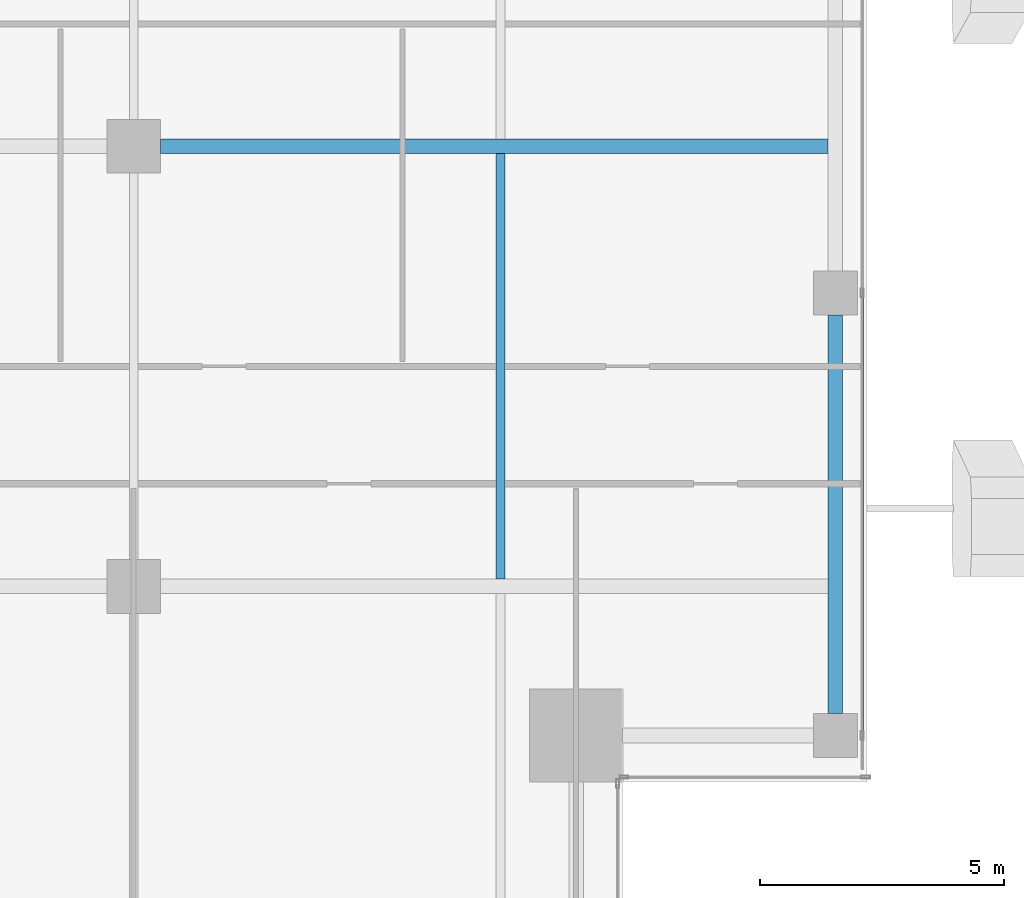
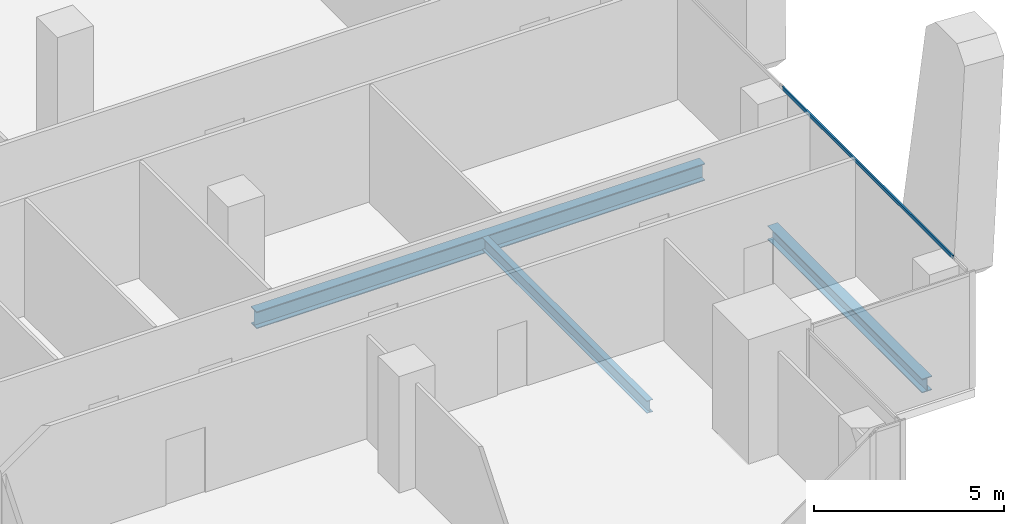
# One storey, part 11 of 36: 3 beams, 1 member, 1 element without a shape of its own.
"""IFC4 building model written with IfcOpenShell, lengths in metres."""

from ifc_helpers import new_model, si_unit, direction, frame, origin, origin_2d, place, context, subcontext, project, spatial, hollow_rectangle, i_section, extrude, source, transform, mapped, material, material_profile, profile_set, type_object, element, aggregate, save


model = new_model("IFC4")

# Units and contexts
model_context = context("Model", 3, precision=1e-05, world=origin(), true_north=direction((0.0, 1.0)))
body_context = subcontext(model_context, "Body", "Model", "MODEL_VIEW")
ifc_project = project(units=[si_unit("LENGTHUNIT", "METRE"), si_unit("AREAUNIT", "SQUARE_METRE"), si_unit("VOLUMEUNIT", "CUBIC_METRE"), si_unit("PLANEANGLEUNIT", "RADIAN"), si_unit("MASSUNIT", "GRAM", prefix="KILO")], contexts=[model_context])

# Site, building, storey
site_placement = place(None, origin())
site = spatial("IfcSite", under=ifc_project, at=site_placement, CompositionType="ELEMENT")
building_placement = place(site_placement, origin())
building = spatial("IfcBuilding", under=site, at=building_placement, Name="Khomas Fold Tower", CompositionType="ELEMENT")
storey_placement = place(building_placement, frame((0.0, 0.0, 238.199951171875)))
storey = spatial("IfcBuildingStorey", under=building, at=storey_placement, Name="L53", CompositionType="ELEMENT", Elevation=238.199951171875)

# Beams
ifc_material_1 = material(Name="Steel S355", Category="steel")
ifc_material_profile_1 = material_profile(ifc_material_1, i_section(OverallWidth=0.179931640625, OverallDepth=0.39990234375, WebThickness=0.008544921875, FlangeThickness=0.013427734375, at=origin_2d()), Name="IPE 400")
ifc_profile_set_1 = profile_set([ifc_material_profile_1], Name="Steel S355")
beam_type_1 = type_object("IfcBeamType", Name="IPE 400 beam JB3", PredefinedType="BEAM", material=ifc_profile_set_1)
shared_shape_1 = source(origin(), body_context, "Body", "SweptSolid", [
    extrude(i_section(OverallWidth=0.179931640625, OverallDepth=0.39990234375, WebThickness=0.008544921875, FlangeThickness=0.013427734375, at=origin_2d()), origin(), (0.0, 0.0, 1.0), 8.7001953125),
])
beam_1_placement = place(storey_placement, frame((42.0, 13.64990234375, -0.449951171875), z_axis=(0.0, 1.0, 0.0), x_axis=(-1.0, 0.0, 0.0)))
element("IfcBeam", 1, at=beam_1_placement, inside=storey, type_object=beam_type_1, Name="JB3", PredefinedType="BEAM", context=body_context, shape_type="MappedRepresentation", body=[
    mapped(shared_shape_1, transform((0.0, 0.0, 0.0))),
])
ifc_material_2 = material(Name="Steel S355", Category="steel")
ifc_material_profile_2 = material_profile(ifc_material_2, i_section(OverallWidth=0.300048828125, OverallDepth=0.449951171875, WebThickness=0.013916015625, FlangeThickness=0.02587890625, at=origin_2d()), Name="HE 450 B")
ifc_profile_set_2 = profile_set([ifc_material_profile_2], Name="Steel S355")
beam_type_2 = type_object("IfcBeamType", Name="HE 450 B spandrel SB4", PredefinedType="SPANDREL", material=ifc_profile_set_2)
shared_shape_2 = source(origin(), body_context, "Body", "SweptSolid", [
    extrude(i_section(OverallWidth=0.300048828125, OverallDepth=0.449951171875, WebThickness=0.013916015625, FlangeThickness=0.02587890625, at=origin_2d()), origin(), (0.0, 0.0, 1.0), 8.150146484375),
])
beam_2_placement = place(storey_placement, frame((48.85009765625, 10.89990234375, -0.474853515625), z_axis=(0.0, 1.0, 0.0), x_axis=(-1.0, 0.0, 0.0)))
element("IfcBeam", 2, at=beam_2_placement, inside=storey, type_object=beam_type_2, Name="SB4", PredefinedType="SPANDREL", context=body_context, shape_type="MappedRepresentation", body=[
    mapped(shared_shape_2, transform((0.0, 0.0, 0.0))),
])
ifc_material_3 = material(Name="Steel S355", Category="steel")
ifc_material_profile_3 = material_profile(ifc_material_3, i_section(OverallWidth=0.300048828125, OverallDepth=0.550048828125, WebThickness=0.014892578125, FlangeThickness=0.029052734375, at=origin_2d()), Name="HE 550 B")
ifc_profile_set_3 = profile_set([ifc_material_profile_3], Name="Steel S355")
beam_type_3 = type_object("IfcBeamType", Name="HE 550 B beam GB4", PredefinedType="BEAM", material=ifc_profile_set_3)
shared_shape_3 = source(origin(), body_context, "Body", "SweptSolid", [
    extrude(i_section(OverallWidth=0.300048828125, OverallDepth=0.550048828125, WebThickness=0.014892578125, FlangeThickness=0.029052734375, at=origin_2d()), origin(), (0.0, 0.0, 1.0), 13.64990234375),
])
beam_3_placement = place(storey_placement, frame((35.050048828125, 22.5, -0.52490234375), z_axis=(1.0, 0.0, 0.0), x_axis=(0.0, 1.0, 0.0)))
element("IfcBeam", 3, at=beam_3_placement, inside=storey, type_object=beam_type_3, Name="GB4", PredefinedType="BEAM", context=body_context, shape_type="MappedRepresentation", body=[
    mapped(shared_shape_3, transform((0.0, 0.0, 0.0))),
])

# Curtain wall, member
ifc_material_4 = material(Name="Aluminium framed double glazing", Category="aluminium")
curtain_wall_type = type_object("IfcCurtainWallType", Name="SK-Unitised clear-glass wall, office floors CW2", PredefinedType="NOTDEFINED", material=ifc_material_4)
curtain_wall_placement = place(storey_placement, origin())
curtain_wall = element("IfcCurtainWall", 4, at=curtain_wall_placement, inside=storey, type_object=curtain_wall_type, Name="CW2 run L53 03-0", PredefinedType="NOTDEFINED")
ifc_material_5 = material(Name="Aluminium", Category="aluminium")
ifc_material_profile_4 = material_profile(ifc_material_5, hollow_rectangle(XDim=0.050048828125, YDim=0.110107421875, WallThickness=0.00390625, at=origin_2d()), Name="SK-Unitised clear-glass wall, office floors transom CW2-T")
ifc_profile_set_4 = profile_set([ifc_material_profile_4], Name="Aluminium")
member_type = type_object("IfcMemberType", Name="SK-Unitised clear-glass wall, office floors transom CW2-T", PredefinedType="USERDEFINED", material=ifc_profile_set_4)
shared_shape_4 = source(origin(), body_context, "Body", "SweptSolid", [
    extrude(hollow_rectangle(XDim=0.050048828125, YDim=0.110107421875, WallThickness=0.00390625, at=origin_2d()), origin(), (0.0, 0.0, 1.0), 8.989990234375),
])
member_placement = place(storey_placement, frame((49.39990234375, 10.47998046875, 3.695068359375), z_axis=(0.0, 1.0, 0.0), x_axis=(-1.0, 0.0, 0.0)))
member = element("IfcMember", 5, at=member_placement, type_object=member_type, Name="CW2 transom 2", ObjectType="TRANSOM", PredefinedType="USERDEFINED", context=body_context, shape_type="MappedRepresentation", body=[
    mapped(shared_shape_4, transform((0.0, 0.0, 0.0))),
])
aggregate(curtain_wall, [member])

save(model, "model.ifc")
